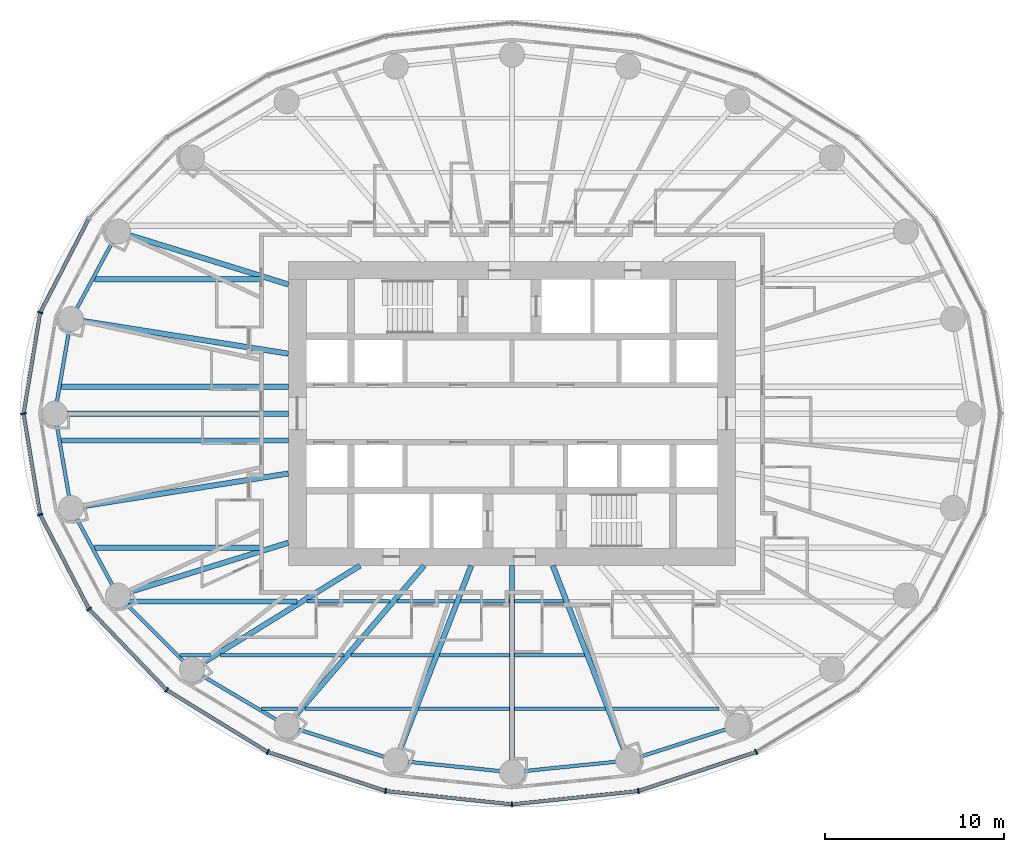
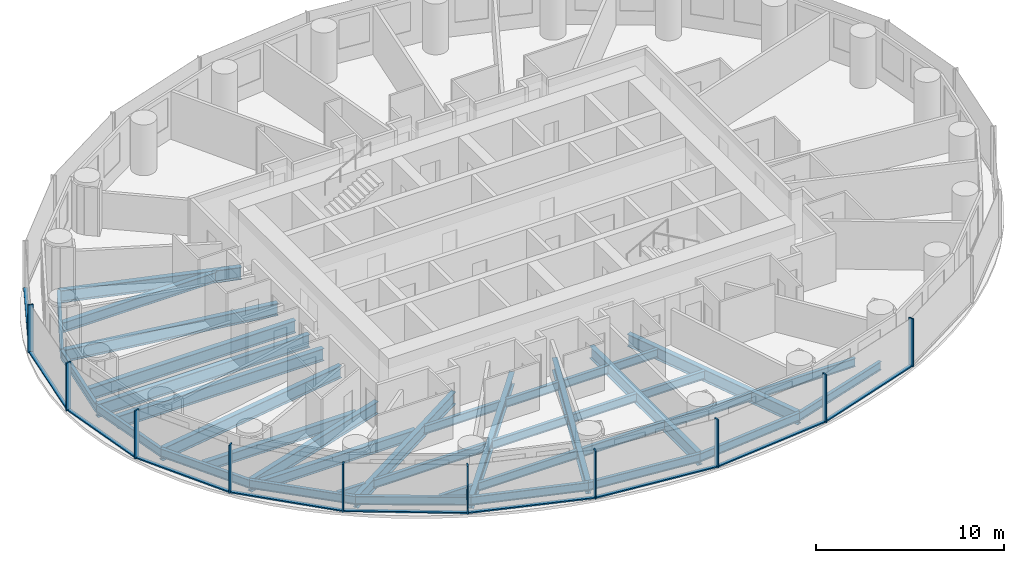
# One storey, part 2 of 14: 39 beams, 20 members, 3 elements without a shape of their own.
"""IFC4 building model written with IfcOpenShell, lengths in metres."""

from ifc_helpers import new_model, si_unit, direction, frame, origin, origin_2d, place, context, subcontext, project, spatial, rectangle, i_section, extrude, material, material_profile, profile_set, type_object, element, aggregate, save


model = new_model("IFC4")

# Units and contexts
model_context = context("Model", 3, precision=1e-05, world=origin(), true_north=direction((0.0, 1.0)))
body_context = subcontext(model_context, "Body", "Model", "MODEL_VIEW")
ifc_project = project(units=[si_unit("LENGTHUNIT", "METRE"), si_unit("AREAUNIT", "SQUARE_METRE"), si_unit("VOLUMEUNIT", "CUBIC_METRE"), si_unit("PLANEANGLEUNIT", "RADIAN"), si_unit("MASSUNIT", "GRAM", prefix="KILO")], contexts=[model_context])

# Site, building, storey
site_placement = place(None, origin())
site = spatial("IfcSite", under=ifc_project, at=site_placement, CompositionType="ELEMENT")
building_placement = place(site_placement, origin())
building = spatial("IfcBuilding", under=site, at=building_placement, Name="Hankou Lantern Tower", CompositionType="ELEMENT")
storey_placement = place(building_placement, frame((0.0, 0.0, 57.300048828125)))
storey = spatial("IfcBuildingStorey", under=building, at=storey_placement, Name="L13", CompositionType="ELEMENT", Elevation=57.300048828125)

# Beams
ifc_material_1 = material(Name="Steel Q355B", Category="steel")
ifc_material_profile_1 = material_profile(ifc_material_1, i_section(OverallWidth=0.199951171875, OverallDepth=0.550048828125, WebThickness=0.010009765625, FlangeThickness=0.01611328125, FilletRadius=0.012939453125, at=origin_2d()), Name="HN550x200x10x16")
ifc_profile_set_1 = profile_set([ifc_material_profile_1], Name="Steel Q355B")
beam_type_1 = type_object("IfcBeamType", Name="EB6 RING BEAM HN550x200x10x16", PredefinedType="SPANDREL", material=ifc_profile_set_1)
beam_1_placement = place(storey_placement, frame((-22.01904296875, 10.170166015625, -0.455078125), z_axis=(-0.473609096023, -0.880735161194, 0.0), x_axis=(0.880735161194, -0.473609096023, 0.0)))
element("IfcBeam", 1, at=beam_1_placement, inside=storey, type_object=beam_type_1, Name="Ring beam R11-R12 L13", PredefinedType="SPANDREL", context=body_context, shape_type="SweptSolid", body=[
    extrude(i_section(OverallWidth=0.199951171875, OverallDepth=0.550048828125, WebThickness=0.010009765625, FlangeThickness=0.01611328125, FilletRadius=0.012939453125, at=origin_2d()), origin(), (0.0, 0.0, 1.0), 5.548828125),
])
for number, where, z_axis, x_axis, name in (
    (2, (-24.64697265625, 5.283203125, -0.455078125), (-0.168489691988, -0.985703415685, 0.0), (0.985703415685, -0.168489691988, 0.0), "Ring beam R12-R13 L13"),
    (3, (-25.550048828125, 0.0, -0.455078125), (0.168489691988, -0.985703415685, 0.0), (0.985703415685, 0.168489691988, 0.0), "Ring beam R13-R14 L13"),
):
    element("IfcBeam", number, at=place(storey_placement, frame(where, z_axis=z_axis, x_axis=x_axis)), inside=storey, type_object=beam_type_1, Name=name, PredefinedType="SPANDREL", context=body_context, shape_type="SweptSolid", body=[
        extrude(i_section(OverallWidth=0.199951171875, OverallDepth=0.550048828125, WebThickness=0.010009765625, FlangeThickness=0.01611328125, FilletRadius=0.012939453125, at=origin_2d()), origin(), (0.0, 0.0, 1.0), 5.35986328125),
    ])
beam_2_placement = place(storey_placement, frame((-24.64697265625, -5.283203125, -0.455078125), z_axis=(0.473609096023, -0.880735161194, 0.0), x_axis=(0.880735161194, 0.473609096023, 0.0)))
element("IfcBeam", 4, at=beam_2_placement, inside=storey, type_object=beam_type_1, Name="Ring beam R14-R15 L13", PredefinedType="SPANDREL", context=body_context, shape_type="SweptSolid", body=[
    extrude(i_section(OverallWidth=0.199951171875, OverallDepth=0.550048828125, WebThickness=0.010009765625, FlangeThickness=0.01611328125, FilletRadius=0.012939453125, at=origin_2d()), origin(), (0.0, 0.0, 1.0), 5.548828125),
])
beam_3_placement = place(storey_placement, frame((-22.01904296875, -10.170166015625, -0.455078125), z_axis=(0.705727798394, -0.708483079949, 0.0), x_axis=(0.708483079949, 0.705727798394, 0.0)))
element("IfcBeam", 5, at=beam_3_placement, inside=storey, type_object=beam_type_1, Name="Ring beam R15-R16 L13", PredefinedType="SPANDREL", context=body_context, shape_type="SweptSolid", body=[
    extrude(i_section(OverallWidth=0.199951171875, OverallDepth=0.550048828125, WebThickness=0.010009765625, FlangeThickness=0.01611328125, FilletRadius=0.012939453125, at=origin_2d()), origin(), (0.0, 0.0, 1.0), 5.84814453125),
])
beam_4_placement = place(storey_placement, frame((-17.891845703125, -14.3134765625, -0.455078125), z_axis=(0.860881533543, -0.508805449268, 0.0), x_axis=(0.508805449268, 0.860881533543, 0.0)))
element("IfcBeam", 6, at=beam_4_placement, inside=storey, type_object=beam_type_1, Name="Ring beam R16-R17 L13", PredefinedType="SPANDREL", context=body_context, shape_type="SweptSolid", body=[
    extrude(i_section(OverallWidth=0.199951171875, OverallDepth=0.550048828125, WebThickness=0.010009765625, FlangeThickness=0.01611328125, FilletRadius=0.012939453125, at=origin_2d()), origin(), (0.0, 0.0, 1.0), 6.15771484375),
])
beam_5_placement = place(storey_placement, frame((-12.5908203125, -17.446533203125, -0.455078125), z_axis=(0.952690479428, -0.303942182671, 0.0), x_axis=(0.303942182671, 0.952690479428, 0.0)))
element("IfcBeam", 7, at=beam_5_placement, inside=storey, type_object=beam_type_1, Name="Ring beam R17-R18 L13", PredefinedType="SPANDREL", context=body_context, shape_type="SweptSolid", body=[
    extrude(i_section(OverallWidth=0.199951171875, OverallDepth=0.550048828125, WebThickness=0.010009765625, FlangeThickness=0.01611328125, FilletRadius=0.012939453125, at=origin_2d()), origin(), (0.0, 0.0, 1.0), 6.398681640625),
])
for number, where, z_axis, x_axis, name in (
    (8, (-6.494873046875, -19.391357421875, -0.455078125), (0.994896616842, -0.100899562915, 0.0), (0.100899562915, 0.994896616842, 0.0), "Ring beam R18-R19 L13"),
    (9, (0.0, -20.050048828125, -0.455078125), (0.994896616842, 0.100899562915, 0.0), (-0.100899562915, 0.994896616842, 0.0), "Ring beam R19-R20 L13"),
):
    element("IfcBeam", number, at=place(storey_placement, frame(where, z_axis=z_axis, x_axis=x_axis)), inside=storey, type_object=beam_type_1, Name=name, PredefinedType="SPANDREL", context=body_context, shape_type="SweptSolid", body=[
        extrude(i_section(OverallWidth=0.199951171875, OverallDepth=0.550048828125, WebThickness=0.010009765625, FlangeThickness=0.01611328125, FilletRadius=0.012939453125, at=origin_2d()), origin(), (0.0, 0.0, 1.0), 6.528076171875),
    ])
beam_6_placement = place(storey_placement, frame((6.494873046875, -19.391357421875, -0.455078125), z_axis=(0.952690479428, 0.303942182671, 0.0), x_axis=(-0.303942182671, 0.952690479428, 0.0)))
element("IfcBeam", 10, at=beam_6_placement, inside=storey, type_object=beam_type_1, Name="Ring beam R20-R21 L13", PredefinedType="SPANDREL", context=body_context, shape_type="SweptSolid", body=[
    extrude(i_section(OverallWidth=0.199951171875, OverallDepth=0.550048828125, WebThickness=0.010009765625, FlangeThickness=0.01611328125, FilletRadius=0.012939453125, at=origin_2d()), origin(), (0.0, 0.0, 1.0), 6.398681640625),
])

# Curtain wall, member
ifc_material_2 = material(Name="Glass, dark grey tinted laminated", Category="glass")
curtain_wall_type = type_object("IfcCurtainWallType", Name="CWA OUTER SKIN LOW-RISE", PredefinedType="USERDEFINED", material=ifc_material_2)
curtain_wall_1_placement = place(storey_placement, origin())
curtain_wall_1 = element("IfcCurtainWall", 11, at=curtain_wall_1_placement, inside=storey, type_object=curtain_wall_type, Name="CWA L13 OS2", ObjectType="OUTER SKIN LOW-RISE", PredefinedType="USERDEFINED")
ifc_material_3 = material(Name="Aluminium, black anodised", Category="aluminium")
ifc_material_profile_2 = material_profile(ifc_material_3, rectangle(XDim=0.080078125, YDim=0.300048828125, at=origin_2d()), Name="MU1 80X300")
ifc_profile_set_2 = profile_set([ifc_material_profile_2], Name="Aluminium, black anodised")
member_type_1 = type_object("IfcMemberType", Name="MU1 OUTER SKIN MULLION 80X300", PredefinedType="MULLION", material=ifc_profile_set_2)
member_1_placement = place(storey_placement, frame((-26.369873046875, 5.652587890625, 0.0), z_axis=(0.0, 0.0, 1.0), x_axis=(-0.317595577365, -0.94822626479, 0.0)))
member_1 = element("IfcMember", 12, at=member_1_placement, type_object=member_type_1, Name="CWA mullion 6", PredefinedType="MULLION", context=body_context, shape_type="SweptSolid", body=[
    extrude(rectangle(XDim=0.080078125, YDim=0.300048828125, at=origin_2d()), origin(), (0.0, 0.0, 1.0), 3.119873046875),
])

# Curtain wall, members
curtain_wall_2_placement = place(storey_placement, origin())
curtain_wall_2 = element("IfcCurtainWall", 13, at=curtain_wall_2_placement, inside=storey, type_object=curtain_wall_type, Name="CWA L13 OS3", ObjectType="OUTER SKIN LOW-RISE", PredefinedType="USERDEFINED")
member_2_placement = place(storey_placement, frame((-27.300048828125, 0.0, 0.0), z_axis=(0.0, 0.0, 1.0), x_axis=(0.162381515188, -0.986728049427, 0.0)))
member_2 = element("IfcMember", 14, at=member_2_placement, type_object=member_type_1, Name="CWA mullion 1", PredefinedType="MULLION", context=body_context, shape_type="SweptSolid", body=[
    extrude(rectangle(XDim=0.080078125, YDim=0.300048828125, at=origin_2d()), origin(), (0.0, 0.0, 1.0), 3.119873046875),
])
member_3_placement = place(storey_placement, frame((-26.369873046875, -5.652587890625, 0.0), z_axis=(0.0, 0.0, 1.0), x_axis=(0.317595577365, -0.94822626479, 0.0)))
member_3 = element("IfcMember", 15, at=member_3_placement, type_object=member_type_1, Name="CWA mullion 2", PredefinedType="MULLION", context=body_context, shape_type="SweptSolid", body=[
    extrude(rectangle(XDim=0.080078125, YDim=0.300048828125, at=origin_2d()), origin(), (0.0, 0.0, 1.0), 3.119873046875),
])
member_4_placement = place(storey_placement, frame((-23.642578125, -10.919921875, 0.0), z_axis=(0.0, 0.0, 1.0), x_axis=(0.585205735974, -0.810884854084, 0.0)))
member_4 = element("IfcMember", 16, at=member_4_placement, type_object=member_type_1, Name="CWA mullion 3", PredefinedType="MULLION", context=body_context, shape_type="SweptSolid", body=[
    extrude(rectangle(XDim=0.080078125, YDim=0.300048828125, at=origin_2d()), origin(), (0.0, 0.0, 1.0), 3.119873046875),
])
member_5_placement = place(storey_placement, frame((-19.303955078125, -15.443115234375, 0.0), z_axis=(0.0, 0.0, 1.0), x_axis=(0.780868809444, -0.624695047553, 0.0)))
member_5 = element("IfcMember", 17, at=member_5_placement, type_object=member_type_1, Name="CWA mullion 4", PredefinedType="MULLION", context=body_context, shape_type="SweptSolid", body=[
    extrude(rectangle(XDim=0.080078125, YDim=0.300048828125, at=origin_2d()), origin(), (0.0, 0.0, 1.0), 3.119873046875),
])
member_6_placement = place(storey_placement, frame((-13.64990234375, -18.9140625, 0.0), z_axis=(0.0, 0.0, 1.0), x_axis=(0.907841299004, -0.419313934686, 0.0)))
member_6 = element("IfcMember", 18, at=member_6_placement, type_object=member_type_1, Name="CWA mullion 5", PredefinedType="MULLION", context=body_context, shape_type="SweptSolid", body=[
    extrude(rectangle(XDim=0.080078125, YDim=0.300048828125, at=origin_2d()), origin(), (0.0, 0.0, 1.0), 3.119873046875),
])
member_7_placement = place(storey_placement, frame((-7.065673828125, -21.095703125, 0.0), z_axis=(0.0, 0.0, 1.0), x_axis=(0.977787659625, -0.209597931016, 0.0)))
member_7 = element("IfcMember", 19, at=member_7_placement, type_object=member_type_1, Name="CWA mullion 6", PredefinedType="MULLION", context=body_context, shape_type="SweptSolid", body=[
    extrude(rectangle(XDim=0.080078125, YDim=0.300048828125, at=origin_2d()), origin(), (0.0, 0.0, 1.0), 3.119873046875),
])

curtain_wall_3_placement = place(storey_placement, origin())
curtain_wall_3 = element("IfcCurtainWall", 20, at=curtain_wall_3_placement, inside=storey, type_object=curtain_wall_type, Name="CWA L13 OS4", ObjectType="OUTER SKIN LOW-RISE", PredefinedType="USERDEFINED")
member_8_placement = place(storey_placement, frame((0.0, -21.840087890625, 0.0), z_axis=(0.0, 0.0, 1.0), x_axis=(0.994499359107, 0.104742659579, 0.0)))
member_8 = element("IfcMember", 21, at=member_8_placement, type_object=member_type_1, Name="CWA mullion 1", PredefinedType="MULLION", context=body_context, shape_type="SweptSolid", body=[
    extrude(rectangle(XDim=0.080078125, YDim=0.300048828125, at=origin_2d()), origin(), (0.0, 0.0, 1.0), 3.119873046875),
])
member_9_placement = place(storey_placement, frame((7.065673828125, -21.095703125, 0.0), z_axis=(0.0, 0.0, 1.0), x_axis=(0.977787659625, 0.209597931016, 0.0)))
member_9 = element("IfcMember", 22, at=member_9_placement, type_object=member_type_1, Name="CWA mullion 2", PredefinedType="MULLION", context=body_context, shape_type="SweptSolid", body=[
    extrude(rectangle(XDim=0.080078125, YDim=0.300048828125, at=origin_2d()), origin(), (0.0, 0.0, 1.0), 3.119873046875),
])
member_10_placement = place(storey_placement, frame((13.64990234375, -18.9140625, 0.0), z_axis=(0.0, 0.0, 1.0), x_axis=(0.907841299004, 0.419313934686, 0.0)))
member_10 = element("IfcMember", 23, at=member_10_placement, type_object=member_type_1, Name="CWA mullion 3", PredefinedType="MULLION", context=body_context, shape_type="SweptSolid", body=[
    extrude(rectangle(XDim=0.080078125, YDim=0.300048828125, at=origin_2d()), origin(), (0.0, 0.0, 1.0), 3.119873046875),
])

# Beams
ifc_material_4 = material(Name="Steel Q355B", Category="steel")
ifc_material_profile_3 = material_profile(ifc_material_4, i_section(OverallWidth=0.300048828125, OverallDepth=0.800048828125, WebThickness=0.013916015625, FlangeThickness=0.02587890625, FilletRadius=0.01806640625, at=origin_2d()), Name="HN800x300x14x26")
ifc_profile_set_3 = profile_set([ifc_material_profile_3], Name="Steel Q355B")
beam_type_2 = type_object("IfcBeamType", Name="RB11 RADIAL BEAM HN800x300x14x26", PredefinedType="BEAM", material=ifc_profile_set_3)
beam_7_placement = place(storey_placement, frame((-12.5, 7.216796875, -0.580078125), z_axis=(-0.955087327755, 0.29632447817, 0.0), x_axis=(-0.29632447817, -0.955087327755, 0.0)))
element("IfcBeam", 24, at=beam_7_placement, inside=storey, type_object=beam_type_2, Name="Radial beam R11 L13", PredefinedType="BEAM", context=body_context, shape_type="SweptSolid", body=[
    extrude(i_section(OverallWidth=0.300048828125, OverallDepth=0.800048828125, WebThickness=0.013916015625, FlangeThickness=0.02587890625, FilletRadius=0.01806640625, at=origin_2d()), origin(), (0.0, 0.0, 1.0), 9.966552734375),
])
for number, where, z_axis, x_axis, name in (
    (25, (-12.5, 3.349365234375, -0.580078125), (-0.987563081343, 0.157223281893, 0.0), (-0.157223281893, -0.987563081343, 0.0), "Radial beam R12 L13"),
    (26, (-12.5, -3.349365234375, -0.580078125), (-0.987563081343, -0.157223281893, 0.0), (0.157223281893, -0.987563081343, 0.0), "Radial beam R14 L13"),
):
    element("IfcBeam", number, at=place(storey_placement, frame(where, z_axis=z_axis, x_axis=x_axis)), inside=storey, type_object=beam_type_2, Name=name, PredefinedType="BEAM", context=body_context, shape_type="SweptSolid", body=[
        extrude(i_section(OverallWidth=0.300048828125, OverallDepth=0.800048828125, WebThickness=0.013916015625, FlangeThickness=0.02587890625, FilletRadius=0.01806640625, at=origin_2d()), origin(), (0.0, 0.0, 1.0), 12.300048828125),
    ])
beam_8_placement = place(storey_placement, frame((-12.5, -7.216796875, -0.580078125), z_axis=(-0.955087327755, -0.29632447817, 0.0), x_axis=(0.29632447817, -0.955087327755, 0.0)))
element("IfcBeam", 27, at=beam_8_placement, inside=storey, type_object=beam_type_2, Name="Radial beam R15 L13", PredefinedType="BEAM", context=body_context, shape_type="SweptSolid", body=[
    extrude(i_section(OverallWidth=0.300048828125, OverallDepth=0.800048828125, WebThickness=0.013916015625, FlangeThickness=0.02587890625, FilletRadius=0.01806640625, at=origin_2d()), origin(), (0.0, 0.0, 1.0), 9.966552734375),
])
beam_9_placement = place(storey_placement, frame((-8.5, -8.5, -0.580078125), z_axis=(-0.850286343288, -0.526320372414, 0.0), x_axis=(0.526320372414, -0.850286343288, 0.0)))
element("IfcBeam", 28, at=beam_9_placement, inside=storey, type_object=beam_type_2, Name="Radial beam R16 L13", PredefinedType="BEAM", context=body_context, shape_type="SweptSolid", body=[
    extrude(i_section(OverallWidth=0.300048828125, OverallDepth=0.800048828125, WebThickness=0.013916015625, FlangeThickness=0.02587890625, FilletRadius=0.01806640625, at=origin_2d()), origin(), (0.0, 0.0, 1.0), 11.04541015625),
])
beam_10_placement = place(storey_placement, frame((-4.907470703125, -8.5, -0.580078125), z_axis=(-0.651519061225, -0.758632264579, 0.0), x_axis=(0.758632264579, -0.651519061225, 0.0)))
element("IfcBeam", 29, at=beam_10_placement, inside=storey, type_object=beam_type_2, Name="Radial beam R17 L13", PredefinedType="BEAM", context=body_context, shape_type="SweptSolid", body=[
    extrude(i_section(OverallWidth=0.300048828125, OverallDepth=0.800048828125, WebThickness=0.013916015625, FlangeThickness=0.02587890625, FilletRadius=0.01806640625, at=origin_2d()), origin(), (0.0, 0.0, 1.0), 11.79296875),
])
beam_11_placement = place(storey_placement, frame((-2.277587890625, -8.5, -0.580078125), z_axis=(-0.361089103374, -0.932531318201, 0.0), x_axis=(0.932531318201, -0.361089103374, 0.0)))
element("IfcBeam", 30, at=beam_11_placement, inside=storey, type_object=beam_type_2, Name="Radial beam R18 L13", PredefinedType="BEAM", context=body_context, shape_type="SweptSolid", body=[
    extrude(i_section(OverallWidth=0.300048828125, OverallDepth=0.800048828125, WebThickness=0.013916015625, FlangeThickness=0.02587890625, FilletRadius=0.01806640625, at=origin_2d()), origin(), (0.0, 0.0, 1.0), 11.679443359375),
])
beam_12_placement = place(storey_placement, frame((0.0, -8.5, -0.580078125), z_axis=(0.0, -1.0, 0.0), x_axis=(1.0, 0.0, 0.0)))
element("IfcBeam", 31, at=beam_12_placement, inside=storey, type_object=beam_type_2, Name="Radial beam R19 L13", PredefinedType="BEAM", context=body_context, shape_type="SweptSolid", body=[
    extrude(i_section(OverallWidth=0.300048828125, OverallDepth=0.800048828125, WebThickness=0.013916015625, FlangeThickness=0.02587890625, FilletRadius=0.01806640625, at=origin_2d()), origin(), (0.0, 0.0, 1.0), 11.550048828125),
])
beam_13_placement = place(storey_placement, frame((2.277587890625, -8.5, -0.580078125), z_axis=(0.361089103374, -0.932531318201, 0.0), x_axis=(0.932531318201, 0.361089103374, 0.0)))
element("IfcBeam", 32, at=beam_13_placement, inside=storey, type_object=beam_type_2, Name="Radial beam R20 L13", PredefinedType="BEAM", context=body_context, shape_type="SweptSolid", body=[
    extrude(i_section(OverallWidth=0.300048828125, OverallDepth=0.800048828125, WebThickness=0.013916015625, FlangeThickness=0.02587890625, FilletRadius=0.01806640625, at=origin_2d()), origin(), (0.0, 0.0, 1.0), 11.679443359375),
])
ifc_material_5 = material(Name="Steel Q355B", Category="steel")
ifc_material_profile_4 = material_profile(ifc_material_5, i_section(OverallWidth=0.300048828125, OverallDepth=0.85009765625, WebThickness=0.01611328125, FlangeThickness=0.027099609375, FilletRadius=0.01806640625, at=origin_2d()), Name="HN850x300x16x27")
ifc_profile_set_4 = profile_set([ifc_material_profile_4], Name="Steel Q355B")
beam_type_3 = type_object("IfcBeamType", Name="RB12 RADIAL BEAM HN850x300x16x27", PredefinedType="BEAM", material=ifc_profile_set_4)
beam_14_placement = place(storey_placement, frame((-12.5, 0.0, -0.60498046875), z_axis=(-1.0, 0.0, 0.0), x_axis=(0.0, -1.0, 0.0)))
element("IfcBeam", 33, at=beam_14_placement, inside=storey, type_object=beam_type_3, Name="Radial beam R13 L13", PredefinedType="BEAM", context=body_context, shape_type="SweptSolid", body=[
    extrude(i_section(OverallWidth=0.300048828125, OverallDepth=0.85009765625, WebThickness=0.01611328125, FlangeThickness=0.027099609375, FilletRadius=0.01806640625, at=origin_2d()), origin(), (0.0, 0.0, 1.0), 13.050048828125),
])
ifc_material_6 = material(Name="Steel Q355B", Category="steel")
ifc_material_profile_5 = material_profile(ifc_material_6, i_section(OverallWidth=0.300048828125, OverallDepth=0.800048828125, WebThickness=0.013916015625, FlangeThickness=0.02587890625, FilletRadius=0.01806640625, at=origin_2d()), Name="HN800x300x14x26")
ifc_profile_set_5 = profile_set([ifc_material_profile_5], Name="Steel Q355B")
beam_type_4 = type_object("IfcBeamType", Name="SB11 SECONDARY BEAM HN800x300x14x26", PredefinedType="JOIST", material=ifc_profile_set_5)
for number, where, z_axis, x_axis, name in (
    (34, (-25.192138671875, -1.5, -0.580078125), (1.0, 0.0, 0.0), (0.0, 1.0, 0.0), "Floor joist J029 L13"),
    (35, (-25.192138671875, 1.5, -0.580078125), (1.0, 0.0, 0.0), (0.0, 1.0, 0.0), "Floor joist J031 L13"),
):
    element("IfcBeam", number, at=place(storey_placement, frame(where, z_axis=z_axis, x_axis=x_axis)), inside=storey, type_object=beam_type_4, Name=name, PredefinedType="JOIST", context=body_context, shape_type="SweptSolid", body=[
        extrude(i_section(OverallWidth=0.300048828125, OverallDepth=0.800048828125, WebThickness=0.013916015625, FlangeThickness=0.02587890625, FilletRadius=0.01806640625, at=origin_2d()), origin(), (0.0, 0.0, 1.0), 12.692138671875),
    ])
ifc_material_7 = material(Name="Steel Q355B", Category="steel")
ifc_material_profile_6 = material_profile(ifc_material_7, i_section(OverallWidth=0.199951171875, OverallDepth=0.550048828125, WebThickness=0.010009765625, FlangeThickness=0.01611328125, FilletRadius=0.012939453125, at=origin_2d()), Name="HN550x200x10x16")
ifc_profile_set_6 = profile_set([ifc_material_profile_6], Name="Steel Q355B")
beam_type_5 = type_object("IfcBeamType", Name="SB6 SECONDARY BEAM HN550x200x10x16", PredefinedType="JOIST", material=ifc_profile_set_6)
beam_15_placement = place(storey_placement, frame((-13.99560546875, -16.5, -0.455078125), z_axis=(1.0, 0.0, 0.0), x_axis=(0.0, 1.0, 0.0)))
element("IfcBeam", 36, at=beam_15_placement, inside=storey, type_object=beam_type_5, Name="Floor joist J001 L13", PredefinedType="JOIST", context=body_context, shape_type="SweptSolid", body=[
    extrude(i_section(OverallWidth=0.199951171875, OverallDepth=0.550048828125, WebThickness=0.010009765625, FlangeThickness=0.01611328125, FilletRadius=0.012939453125, at=origin_2d()), origin(), (0.0, 0.0, 1.0), 2.019775390625),
])
beam_16_placement = place(storey_placement, frame((-11.580322265625, -16.5, -0.455078125), z_axis=(1.0, 0.0, 0.0), x_axis=(0.0, 1.0, 0.0)))
element("IfcBeam", 37, at=beam_16_placement, inside=storey, type_object=beam_type_5, Name="Floor joist J002 L13", PredefinedType="JOIST", context=body_context, shape_type="SweptSolid", body=[
    extrude(i_section(OverallWidth=0.199951171875, OverallDepth=0.550048828125, WebThickness=0.010009765625, FlangeThickness=0.01611328125, FilletRadius=0.012939453125, at=origin_2d()), origin(), (0.0, 0.0, 1.0), 6.044189453125),
])
for number, where, z_axis, x_axis, name in (
    (38, (-5.21435546875, -16.5, -0.455078125), (1.0, 0.0, 0.0), (0.0, 1.0, 0.0), "Floor joist J003 L13"),
    (39, (0.14990234375, -16.5, -0.455078125), (1.0, 0.0, 0.0), (0.0, 1.0, 0.0), "Floor joist J004 L13"),
):
    element("IfcBeam", number, at=place(storey_placement, frame(where, z_axis=z_axis, x_axis=x_axis)), inside=storey, type_object=beam_type_5, Name=name, PredefinedType="JOIST", context=body_context, shape_type="SweptSolid", body=[
        extrude(i_section(OverallWidth=0.199951171875, OverallDepth=0.550048828125, WebThickness=0.010009765625, FlangeThickness=0.01611328125, FilletRadius=0.012939453125, at=origin_2d()), origin(), (0.0, 0.0, 1.0), 5.064453125),
    ])
beam_17_placement = place(storey_placement, frame((5.5361328125, -16.5, -0.455078125), z_axis=(1.0, 0.0, 0.0), x_axis=(0.0, 1.0, 0.0)))
element("IfcBeam", 40, at=beam_17_placement, inside=storey, type_object=beam_type_5, Name="Floor joist J005 L13", PredefinedType="JOIST", context=body_context, shape_type="SweptSolid", body=[
    extrude(i_section(OverallWidth=0.199951171875, OverallDepth=0.550048828125, WebThickness=0.010009765625, FlangeThickness=0.01611328125, FilletRadius=0.012939453125, at=origin_2d()), origin(), (0.0, 0.0, 1.0), 6.044189453125),
])
beam_18_placement = place(storey_placement, frame((-18.560791015625, -13.5, -0.455078125), z_axis=(1.0, 0.0, 0.0), x_axis=(0.0, 1.0, 0.0)))
element("IfcBeam", 41, at=beam_18_placement, inside=storey, type_object=beam_type_5, Name="Floor joist J007 L13", PredefinedType="JOIST", context=body_context, shape_type="SweptSolid", body=[
    extrude(i_section(OverallWidth=0.199951171875, OverallDepth=0.550048828125, WebThickness=0.010009765625, FlangeThickness=0.01611328125, FilletRadius=0.012939453125, at=origin_2d()), origin(), (0.0, 0.0, 1.0), 1.697998046875),
])
beam_19_placement = place(storey_placement, frame((-16.292724609375, -13.5, -0.455078125), z_axis=(1.0, 0.0, 0.0), x_axis=(0.0, 1.0, 0.0)))
element("IfcBeam", 42, at=beam_19_placement, inside=storey, type_object=beam_type_5, Name="Floor joist J008 L13", PredefinedType="JOIST", context=body_context, shape_type="SweptSolid", body=[
    extrude(i_section(OverallWidth=0.199951171875, OverallDepth=0.550048828125, WebThickness=0.010009765625, FlangeThickness=0.01611328125, FilletRadius=0.012939453125, at=origin_2d()), origin(), (0.0, 0.0, 1.0), 6.893310546875),
])
beam_20_placement = place(storey_placement, frame((-9.00390625, -13.5, -0.455078125), z_axis=(1.0, 0.0, 0.0), x_axis=(0.0, 1.0, 0.0)))
element("IfcBeam", 43, at=beam_20_placement, inside=storey, type_object=beam_type_5, Name="Floor joist J009 L13", PredefinedType="JOIST", context=body_context, shape_type="SweptSolid", body=[
    extrude(i_section(OverallWidth=0.199951171875, OverallDepth=0.550048828125, WebThickness=0.010009765625, FlangeThickness=0.01611328125, FilletRadius=0.012939453125, at=origin_2d()), origin(), (0.0, 0.0, 1.0), 4.62939453125),
])
for number, where, z_axis, x_axis, name in (
    (44, (-4.052734375, -13.5, -0.455078125), (1.0, 0.0, 0.0), (0.0, 1.0, 0.0), "Floor joist J010 L13"),
    (45, (0.14990234375, -13.5, -0.455078125), (1.0, 0.0, 0.0), (0.0, 1.0, 0.0), "Floor joist J011 L13"),
):
    element("IfcBeam", number, at=place(storey_placement, frame(where, z_axis=z_axis, x_axis=x_axis)), inside=storey, type_object=beam_type_5, Name=name, PredefinedType="JOIST", context=body_context, shape_type="SweptSolid", body=[
        extrude(i_section(OverallWidth=0.199951171875, OverallDepth=0.550048828125, WebThickness=0.010009765625, FlangeThickness=0.01611328125, FilletRadius=0.012939453125, at=origin_2d()), origin(), (0.0, 0.0, 1.0), 3.90283203125),
    ])
beam_21_placement = place(storey_placement, frame((-11.446044921875, -10.5, -0.455078125), z_axis=(1.0, 0.0, 0.0), x_axis=(0.0, 1.0, 0.0)))
element("IfcBeam", 46, at=beam_21_placement, inside=storey, type_object=beam_type_5, Name="Floor joist J016 L13", PredefinedType="JOIST", context=body_context, shape_type="SweptSolid", body=[
    extrude(i_section(OverallWidth=0.199951171875, OverallDepth=0.550048828125, WebThickness=0.010009765625, FlangeThickness=0.01611328125, FilletRadius=0.012939453125, at=origin_2d()), origin(), (0.0, 0.0, 1.0), 4.623291015625),
])
beam_22_placement = place(storey_placement, frame((-6.427490234375, -10.5, -0.455078125), z_axis=(1.0, 0.0, 0.0), x_axis=(0.0, 1.0, 0.0)))
element("IfcBeam", 47, at=beam_22_placement, inside=storey, type_object=beam_type_5, Name="Floor joist J017 L13", PredefinedType="JOIST", context=body_context, shape_type="SweptSolid", body=[
    extrude(i_section(OverallWidth=0.199951171875, OverallDepth=0.550048828125, WebThickness=0.010009765625, FlangeThickness=0.01611328125, FilletRadius=0.012939453125, at=origin_2d()), origin(), (0.0, 0.0, 1.0), 3.214599609375),
])
for number, where, z_axis, x_axis, name in (
    (48, (-2.89111328125, -10.5, -0.455078125), (1.0, 0.0, 0.0), (0.0, 1.0, 0.0), "Floor joist J018 L13"),
    (49, (0.14990234375, -10.5, -0.455078125), (1.0, 0.0, 0.0), (0.0, 1.0, 0.0), "Floor joist J019 L13"),
):
    element("IfcBeam", number, at=place(storey_placement, frame(where, z_axis=z_axis, x_axis=x_axis)), inside=storey, type_object=beam_type_5, Name=name, PredefinedType="JOIST", context=body_context, shape_type="SweptSolid", body=[
        extrude(i_section(OverallWidth=0.199951171875, OverallDepth=0.550048828125, WebThickness=0.010009765625, FlangeThickness=0.01611328125, FilletRadius=0.012939453125, at=origin_2d()), origin(), (0.0, 0.0, 1.0), 2.7412109375),
    ])
ifc_material_8 = material(Name="Steel Q355B", Category="steel")
ifc_material_profile_7 = material_profile(ifc_material_8, i_section(OverallWidth=0.300048828125, OverallDepth=0.64990234375, WebThickness=0.010986328125, FlangeThickness=0.01708984375, FilletRadius=0.01806640625, at=origin_2d()), Name="HN650x300x11x17")
ifc_profile_set_7 = profile_set([ifc_material_profile_7], Name="Steel Q355B")
beam_type_6 = type_object("IfcBeamType", Name="SB8 SECONDARY BEAM HN650x300x11x17", PredefinedType="JOIST", material=ifc_profile_set_7)
beam_23_placement = place(storey_placement, frame((-21.54931640625, -10.5, -0.505126953125), z_axis=(1.0, 0.0, 0.0), x_axis=(0.0, 1.0, 0.0)))
element("IfcBeam", 50, at=beam_23_placement, inside=storey, type_object=beam_type_6, Name="Floor joist J015 L13", PredefinedType="JOIST", context=body_context, shape_type="SweptSolid", body=[
    extrude(i_section(OverallWidth=0.300048828125, OverallDepth=0.64990234375, WebThickness=0.010986328125, FlangeThickness=0.01708984375, FilletRadius=0.01806640625, at=origin_2d()), origin(), (0.0, 0.0, 1.0), 9.533203125),
])
for number, where, z_axis, x_axis, name in (
    (51, (-23.341552734375, -7.5, -0.505126953125), (1.0, 0.0, 0.0), (0.0, 1.0, 0.0), "Floor joist J023 L13"),
    (52, (-23.341552734375, 7.5, -0.505126953125), (1.0, 0.0, 0.0), (0.0, 1.0, 0.0), "Floor joist J037 L13"),
):
    element("IfcBeam", number, at=place(storey_placement, frame(where, z_axis=z_axis, x_axis=x_axis)), inside=storey, type_object=beam_type_6, Name=name, PredefinedType="JOIST", context=body_context, shape_type="SweptSolid", body=[
        extrude(i_section(OverallWidth=0.300048828125, OverallDepth=0.64990234375, WebThickness=0.010986328125, FlangeThickness=0.01708984375, FilletRadius=0.01806640625, at=origin_2d()), origin(), (0.0, 0.0, 1.0), 9.4228515625),
    ])

# Member
ifc_material_9 = material(Name="Aluminium, black anodised", Category="aluminium")
ifc_material_profile_8 = material_profile(ifc_material_9, rectangle(XDim=0.199951171875, YDim=0.080078125, at=origin_2d()), Name="TR1 200X80")
ifc_profile_set_8 = profile_set([ifc_material_profile_8], Name="Aluminium, black anodised")
member_type_2 = type_object("IfcMemberType", Name="TR1 OUTER SKIN TRANSOM 200X80", PredefinedType="USERDEFINED", material=ifc_profile_set_8)
member_11_placement = place(storey_placement, frame((-23.660888671875, 10.884521484375, 0.0400390625), z_axis=(-0.459786096495, -0.888029698529, 0.0), x_axis=(0.888029698529, -0.459786096495, 0.0)))
member_11 = element("IfcMember", 53, at=member_11_placement, type_object=member_type_2, Name="CWA transom 5", ObjectType="TRANSOM", PredefinedType="USERDEFINED", context=body_context, shape_type="SweptSolid", body=[
    extrude(rectangle(XDim=0.199951171875, YDim=0.080078125, at=origin_2d()), origin(), (0.0, 0.0, 1.0), 5.8515625),
])

member_12_placement = place(storey_placement, frame((-26.376220703125, 5.613037109375, 0.0400390625), z_axis=(-0.162387045529, -0.986727139307, 0.0), x_axis=(0.986727139307, -0.162387045529, 0.0)))
member_12 = element("IfcMember", 54, at=member_12_placement, type_object=member_type_2, Name="CWA transom 6", ObjectType="TRANSOM", PredefinedType="USERDEFINED", context=body_context, shape_type="SweptSolid", body=[
    extrude(rectangle(XDim=0.199951171875, YDim=0.080078125, at=origin_2d()), origin(), (0.0, 0.0, 1.0), 5.6484375),
])

aggregate(curtain_wall_1, [member_1, member_11, member_12])

member_13_placement = place(storey_placement, frame((-27.29345703125, -0.03955078125, 0.0400390625), z_axis=(0.162387045529, -0.986727139307, 0.0), x_axis=(0.986727139307, 0.162387045529, 0.0)))
member_13 = element("IfcMember", 55, at=member_13_placement, type_object=member_type_2, Name="CWA transom 1", ObjectType="TRANSOM", PredefinedType="USERDEFINED", context=body_context, shape_type="SweptSolid", body=[
    extrude(rectangle(XDim=0.199951171875, YDim=0.080078125, at=origin_2d()), origin(), (0.0, 0.0, 1.0), 5.6484375),
])

member_14_placement = place(storey_placement, frame((-26.351318359375, -5.688232421875, 0.0400390625), z_axis=(0.459786096495, -0.888029698529, 0.0), x_axis=(0.888029698529, 0.459786096495, 0.0)))
member_14 = element("IfcMember", 56, at=member_14_placement, type_object=member_type_2, Name="CWA transom 2", ObjectType="TRANSOM", PredefinedType="USERDEFINED", context=body_context, shape_type="SweptSolid", body=[
    extrude(rectangle(XDim=0.199951171875, YDim=0.080078125, at=origin_2d()), origin(), (0.0, 0.0, 1.0), 5.8515625),
])

member_15_placement = place(storey_placement, frame((-23.61474609375, -10.948974609375, 0.0400390625), z_axis=(0.692215537374, -0.721690827029, 0.0), x_axis=(0.721690827029, 0.692215537374, 0.0)))
member_15 = element("IfcMember", 57, at=member_15_placement, type_object=member_type_2, Name="CWA transom 3", ObjectType="TRANSOM", PredefinedType="USERDEFINED", context=body_context, shape_type="SweptSolid", body=[
    extrude(rectangle(XDim=0.199951171875, YDim=0.080078125, at=origin_2d()), origin(), (0.0, 0.0, 1.0), 6.187255859375),
])

member_16_placement = place(storey_placement, frame((-19.27001953125, -15.464111328125, 0.0400390625), z_axis=(0.85223969557, -0.523151508929, 0.0), x_axis=(0.523151508929, 0.85223969557, 0.0)))
member_16 = element("IfcMember", 58, at=member_16_placement, type_object=member_type_2, Name="CWA transom 4", ObjectType="TRANSOM", PredefinedType="USERDEFINED", context=body_context, shape_type="SweptSolid", body=[
    extrude(rectangle(XDim=0.199951171875, YDim=0.080078125, at=origin_2d()), origin(), (0.0, 0.0, 1.0), 6.554443359375),
])

member_17_placement = place(storey_placement, frame((-13.612060546875, -18.926513671875, 0.0400390625), z_axis=(0.949237318771, -0.314560825044, 0.0), x_axis=(0.314560825044, 0.949237318771, 0.0)))
member_17 = element("IfcMember", 59, at=member_17_placement, type_object=member_type_2, Name="CWA transom 5", ObjectType="TRANSOM", PredefinedType="USERDEFINED", context=body_context, shape_type="SweptSolid", body=[
    extrude(rectangle(XDim=0.199951171875, YDim=0.080078125, at=origin_2d()), origin(), (0.0, 0.0, 1.0), 6.8564453125),
])

member_18_placement = place(storey_placement, frame((-7.02587890625, -21.10009765625, 0.0400390625), z_axis=(0.994502215033, -0.104715539888, 0.0), x_axis=(0.104715539888, 0.994502215033, 0.0)))
member_18 = element("IfcMember", 60, at=member_18_placement, type_object=member_type_2, Name="CWA transom 6", ObjectType="TRANSOM", PredefinedType="USERDEFINED", context=body_context, shape_type="SweptSolid", body=[
    extrude(rectangle(XDim=0.199951171875, YDim=0.080078125, at=origin_2d()), origin(), (0.0, 0.0, 1.0), 7.024658203125),
])

aggregate(curtain_wall_2, [member_2, member_3, member_4, member_5, member_6, member_7, member_13, member_14, member_15, member_16, member_17, member_18])

member_19_placement = place(storey_placement, frame((0.039794921875, -21.835693359375, 0.0400390625), z_axis=(0.994502215033, 0.104715539888, 0.0), x_axis=(-0.104715539888, 0.994502215033, 0.0)))
member_19 = element("IfcMember", 61, at=member_19_placement, type_object=member_type_2, Name="CWA transom 1", ObjectType="TRANSOM", PredefinedType="USERDEFINED", context=body_context, shape_type="SweptSolid", body=[
    extrude(rectangle(XDim=0.199951171875, YDim=0.080078125, at=origin_2d()), origin(), (0.0, 0.0, 1.0), 7.024658203125),
])

member_20_placement = place(storey_placement, frame((7.103759765625, -21.083251953125, 0.0400390625), z_axis=(0.949237318771, 0.314560825044, 0.0), x_axis=(-0.314560825044, 0.949237318771, 0.0)))
member_20 = element("IfcMember", 62, at=member_20_placement, type_object=member_type_2, Name="CWA transom 2", ObjectType="TRANSOM", PredefinedType="USERDEFINED", context=body_context, shape_type="SweptSolid", body=[
    extrude(rectangle(XDim=0.199951171875, YDim=0.080078125, at=origin_2d()), origin(), (0.0, 0.0, 1.0), 6.8564453125),
])

aggregate(curtain_wall_3, [member_8, member_9, member_10, member_19, member_20])

save(model, "model.ifc")
